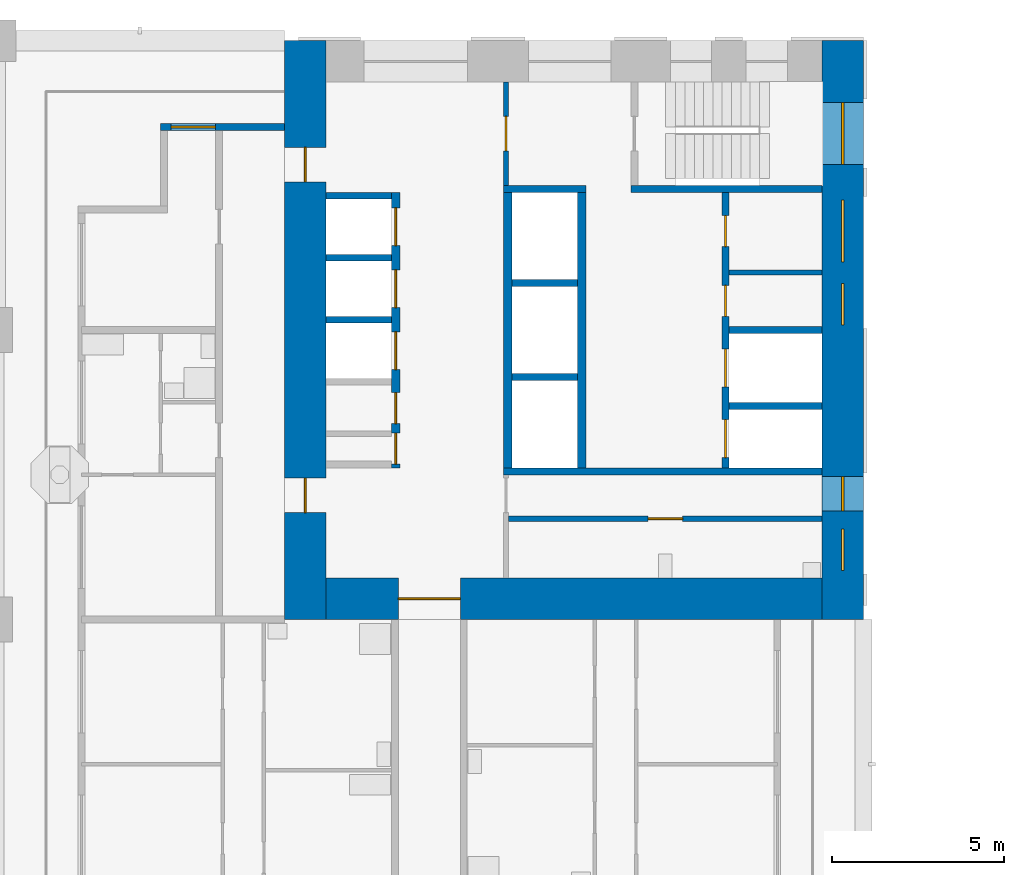
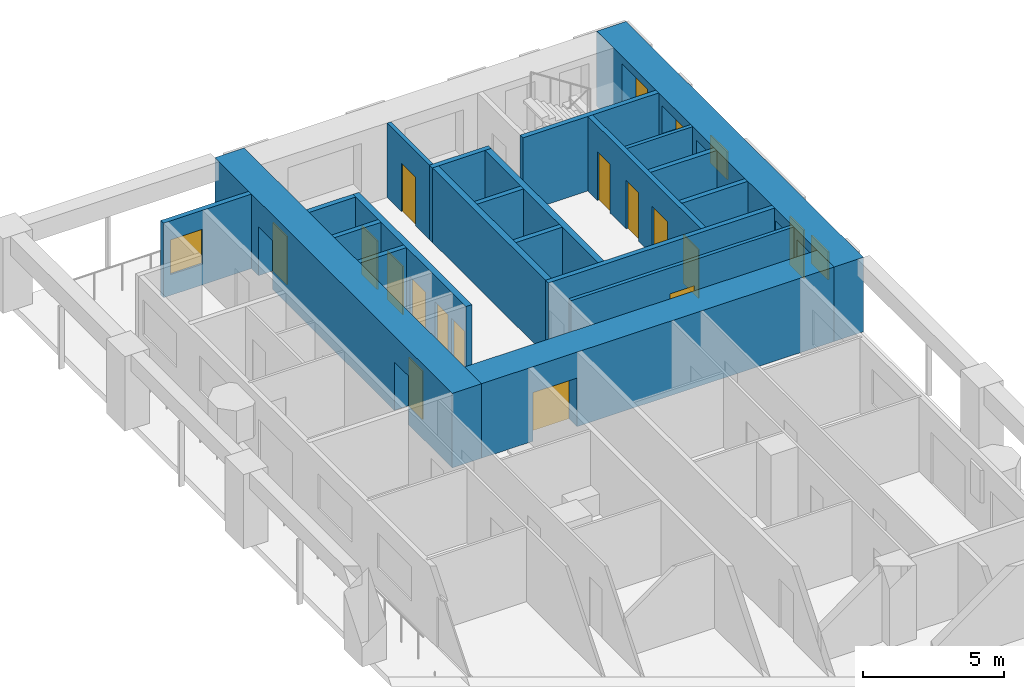
# One storey, part 7 of 18: 21 walls, 14 doors, 6 windows, 20 openings.
"""IFC4 building model written with IfcOpenShell, lengths in metres."""

from ifc_helpers import new_model, si_unit, direction, frame, frame_2d, origin, place, context, subcontext, project, spatial, rectangle, extrude, material, layer, layer_set, type_object, element, fill, save


model = new_model("IFC4")

# Units and contexts
model_context = context("Model", 3, precision=1e-05, world=origin(), true_north=direction((0.0, 1.0)))
body_context = subcontext(model_context, "Body", "Model", "MODEL_VIEW")
ifc_project = project(units=[si_unit("LENGTHUNIT", "METRE"), si_unit("AREAUNIT", "SQUARE_METRE"), si_unit("VOLUMEUNIT", "CUBIC_METRE"), si_unit("PLANEANGLEUNIT", "RADIAN"), si_unit("MASSUNIT", "GRAM", prefix="KILO")], contexts=[model_context])

# Site, building, storey
site_placement = place(None, origin())
site = spatial("IfcSite", under=ifc_project, at=site_placement, CompositionType="ELEMENT")
building_placement = place(site_placement, origin())
building = spatial("IfcBuilding", under=site, at=building_placement, Name="Vermilion Gate Residences", CompositionType="ELEMENT")
storey_placement = place(building_placement, frame((0.0, 0.0, 109.199951171875)))
storey = spatial("IfcBuildingStorey", under=building, at=storey_placement, Name="L27", CompositionType="ELEMENT", Elevation=109.199951171875)

# Wall
ifc_material_1 = material(Name="Masonry blockwork", Category="masonry")
ifc_layer_1 = layer(ifc_material_1, 0.14990234375)
ifc_layer_set_1 = layer_set([ifc_layer_1], Name="BLOCKWORK PARTITION 150 EI 120")
wall_type_1 = type_object("IfcWallType", Name="BLOCKWORK PARTITION 150 EI 120", PredefinedType="PARTITIONING", material=ifc_layer_set_1)
wall_1_placement = place(storey_placement, frame((21.300048828125, 52.074951171875, 0.0), z_axis=(0.0, 0.0, 1.0), x_axis=(1.0, 0.0, 0.0)))
element("IfcWall", 1, at=wall_1_placement, inside=storey, type_object=wall_type_1, Name="Core room partition B27-NR-P0", PredefinedType="PARTITIONING", context=body_context, shape_type="SweptSolid", body=[
    extrude(rectangle(XDim=2.699951171875, YDim=0.14990234375, at=frame_2d((1.35009765625, 0.0))), origin(), (0.0, 0.0, 1.0), 3.219970703125),
])

# Wall, opening, door
wall_2_placement = place(storey_placement, frame((14.824951171875, 57.60009765625, 0.0), z_axis=(0.0, 0.0, 1.0), x_axis=(0.0, -1.0, 0.0)))
wall_2 = element("IfcWall", 2, at=wall_2_placement, inside=storey, type_object=wall_type_1, Name="Core room partition B27-VW-S", PredefinedType="PARTITIONING", context=body_context, shape_type="SweptSolid", body=[
    extrude(rectangle(XDim=3.0, YDim=0.14990234375, at=frame_2d((1.5, 0.0))), origin(), (0.0, 0.0, 1.0), 3.219970703125),
])
opening_1_placement = place(wall_2_placement, frame((1.0, 0.0, 0.0)))
opening_1 = element("IfcOpeningElement", 3, at=opening_1_placement, cuts=wall_2, Name="Opening DK27113", PredefinedType="OPENING", context=body_context, shape_type="SweptSolid", body=[
    extrude(rectangle(XDim=1.0, YDim=2.10009765625, at=frame_2d((0.5, 1.050048828125))), frame((0.0, 0.0849609375, 0.0), z_axis=(0.0, -1.0, 0.0), x_axis=(1.0, 0.0, 0.0)), (0.0, 0.0, 1.0), 0.169921875),
])
ifc_material_2 = material(Name="Steel", Category="steel")
door_type_1 = type_object("IfcDoorType", Name="FIRE DOOR FD60 1000 X 2100", OperationType="SINGLE_SWING_LEFT", PredefinedType="DOOR", material=ifc_material_2)
door_1_placement = place(opening_1_placement, frame((1.0, 0.0, 0.0), z_axis=(0.0, 0.0, 1.0), x_axis=(-1.0, 0.0, 0.0)))
door_1 = element("IfcDoor", 4, at=door_1_placement, inside=storey, type_object=door_type_1, Name="Stair vestibule door B27", OperationType="SINGLE_SWING_RIGHT", OverallHeight=2.10009765625, OverallWidth=1.0, PredefinedType="DOOR", context=body_context, shape_type="SweptSolid", body=[
    extrude(rectangle(XDim=1.0, YDim=2.10009765625, at=frame_2d((0.5, 1.050048828125))), frame((0.0, 0.02490234375, 0.0), z_axis=(0.0, -1.0, 0.0), x_axis=(1.0, 0.0, 0.0)), (0.0, 0.0, 1.0), 0.050048828125),
])
fill(opening_1, door_1)

wall_3_placement = place(storey_placement, frame((14.89990234375, 44.925048828125, 0.0), z_axis=(0.0, 0.0, 1.0), x_axis=(1.0, 0.0, 0.0)))
wall_3 = element("IfcWall", 5, at=wall_3_placement, inside=storey, type_object=wall_type_1, Name="Core room partition B27-ES-W", PredefinedType="PARTITIONING", context=body_context, shape_type="SweptSolid", body=[
    extrude(rectangle(XDim=9.10009765625, YDim=0.14990234375, at=frame_2d((4.550048828125, 0.0))), origin(), (0.0, 0.0, 1.0), 3.219970703125),
])
opening_2_placement = place(wall_3_placement, frame((4.050048828125, 0.0, 0.0)))
opening_2 = element("IfcOpeningElement", 6, at=opening_2_placement, cuts=wall_3, Name="Opening DK27116", PredefinedType="OPENING", context=body_context, shape_type="SweptSolid", body=[
    extrude(rectangle(XDim=1.0, YDim=2.10009765625, at=frame_2d((0.5, 1.050048828125))), frame((0.0, 0.0849609375, 0.0), z_axis=(0.0, -1.0, 0.0), x_axis=(1.0, 0.0, 0.0)), (0.0, 0.0, 1.0), 0.169921875),
])
door_2_placement = place(opening_2_placement, frame((1.0, 0.0, 0.0), z_axis=(0.0, 0.0, 1.0), x_axis=(-1.0, 0.0, 0.0)))
door_2 = element("IfcDoor", 7, at=door_2_placement, inside=storey, type_object=door_type_1, Name="Accessible WC B27", OperationType="SINGLE_SWING_RIGHT", OverallHeight=2.10009765625, OverallWidth=1.0, PredefinedType="DOOR", context=body_context, shape_type="SweptSolid", body=[
    extrude(rectangle(XDim=1.0, YDim=2.10009765625, at=frame_2d((0.5, 1.050048828125))), frame((0.0, 0.02490234375, 0.0), z_axis=(0.0, -1.0, 0.0), x_axis=(1.0, 0.0, 0.0)), (0.0, 0.0, 1.0), 0.050048828125),
])
fill(opening_2, door_2)

# Wall, opening, window
ifc_material_3 = material(Name="Insulated steel stud wall with terracotta rainscreen", Category="masonry")
ifc_layer_2 = layer(ifc_material_3, 0.199951171875)
ifc_layer_set_2 = layer_set([ifc_layer_2], Name="EXTERNAL WALL 200 TERRACOTTA RAINSCREEN")
wall_type_2 = type_object("IfcWallType", Name="EXTERNAL WALL 200 TERRACOTTA RAINSCREEN", PredefinedType="SOLIDWALL", material=ifc_layer_set_2)
wall_4_placement = place(storey_placement, frame((8.39990234375, 56.300048828125, 0.0), z_axis=(0.0, 0.0, 1.0), x_axis=(-1.0, 0.0, 0.0)))
wall_4 = element("IfcWall", 8, at=wall_4_placement, inside=storey, type_object=wall_type_2, Name="External wall", PredefinedType="SOLIDWALL", context=body_context, shape_type="SweptSolid", body=[
    extrude(rectangle(XDim=3.599853515625, YDim=0.199951171875, at=frame_2d((1.7998046875, 0.0))), origin(), (0.0, 0.0, 1.0), 3.219970703125),
])
opening_3_placement = place(wall_4_placement, frame((2.0, 0.0, 0.89990234375)))
opening_3 = element("IfcOpeningElement", 9, at=opening_3_placement, cuts=wall_4, Name="Opening WE27001", PredefinedType="OPENING", context=body_context, shape_type="SweptSolid", body=[
    extrude(rectangle(XDim=1.300048828125, YDim=1.5, at=frame_2d((0.64990234375, 0.75))), frame((0.0, 0.10986328125, 0.0), z_axis=(0.0, -1.0, 0.0), x_axis=(1.0, 0.0, 0.0)), (0.0, 0.0, 1.0), 0.219970703125),
])
ifc_material_4 = material(Name="Aluminium and clear glass", Category="aluminium")
window_type_1 = type_object("IfcWindowType", Name="WINDOW 1300 X 1500", PartitioningType="SINGLE_PANEL", PredefinedType="WINDOW", material=ifc_material_4)
window_1_placement = place(opening_3_placement, origin())
window_1 = element("IfcWindow", 10, at=window_1_placement, inside=storey, type_object=window_type_1, Name="Window", OverallHeight=1.5, OverallWidth=1.300048828125, PartitioningType="SINGLE_PANEL", PredefinedType="WINDOW", context=body_context, shape_type="SweptSolid", body=[
    extrude(rectangle(XDim=1.300048828125, YDim=1.5, at=frame_2d((0.64990234375, 0.75))), frame((0.0, 0.030029296875, 0.0), z_axis=(0.0, -1.0, 0.0), x_axis=(1.0, 0.0, 0.0)), (0.0, 0.0, 1.0), 0.06005859375),
])
fill(opening_3, window_1)

# Walls
ifc_material_5 = material(Name="Concrete C60", Category="concrete")
ifc_layer_3 = layer(ifc_material_5, 0.199951171875)
ifc_layer_set_3 = layer_set([ifc_layer_3], Name="RC CORE INTERNAL WALL 200 C60")
wall_type_3 = type_object("IfcWallType", Name="RC CORE INTERNAL WALL 200 C60", PredefinedType="SHEAR", material=ifc_layer_set_3)
for number, where, z_axis, x_axis, name in (
    (11, (9.60009765625, 54.300048828125, 0.0), (0.0, 0.0, 1.0), (1.0, 0.0, 0.0), "Core internal wall B27-LR-D0"),
    (12, (9.60009765625, 52.5, 0.0), (0.0, 0.0, 1.0), (1.0, 0.0, 0.0), "Core internal wall B27-LR-D1"),
    (13, (9.60009765625, 50.699951171875, 0.0), (0.0, 0.0, 1.0), (1.0, 0.0, 0.0), "Core internal wall B27-LR-D2"),
    (14, (15.0, 51.7666015625, 0.0), (0.0, 0.0, 1.0), (1.0, 0.0, 0.0), "Core internal wall B27-HR-D1"),
    (15, (15.0, 49.033447265625, 0.0), (0.0, 0.0, 1.0), (1.0, 0.0, 0.0), "Core internal wall B27-HR-D2"),
):
    element("IfcWall", number, at=place(storey_placement, frame(where, z_axis=z_axis, x_axis=x_axis)), inside=storey, type_object=wall_type_3, Name=name, PredefinedType="SHEAR", context=body_context, shape_type="SweptSolid", body=[
        extrude(rectangle(XDim=1.89990234375, YDim=0.199951171875, at=frame_2d((0.949951171875, 0.0))), origin(), (0.0, 0.0, 1.0), 3.219970703125),
    ])
for number, where, z_axis, x_axis, name in (
    (16, (21.300048828125, 50.39990234375, 0.0), (0.0, 0.0, 1.0), (1.0, 0.0, 0.0), "Core internal wall B27-FF-D0"),
    (17, (21.300048828125, 48.199951171875, 0.0), (0.0, 0.0, 1.0), (1.0, 0.0, 0.0), "Core internal wall B27-FF-D1"),
):
    element("IfcWall", number, at=place(storey_placement, frame(where, z_axis=z_axis, x_axis=x_axis)), inside=storey, type_object=wall_type_3, Name=name, PredefinedType="SHEAR", context=body_context, shape_type="SweptSolid", body=[
        extrude(rectangle(XDim=2.699951171875, YDim=0.199951171875, at=frame_2d((1.35009765625, 0.0))), origin(), (0.0, 0.0, 1.0), 3.219970703125),
    ])

# Wall, openings, doors
wall_5_placement = place(storey_placement, frame((21.199951171875, 54.39990234375, 0.0), z_axis=(0.0, 0.0, 1.0), x_axis=(0.0, -1.0, 0.0)))
wall_5 = element("IfcWall", 18, at=wall_5_placement, inside=storey, type_object=wall_type_3, Name="Core internal wall B27-FF-F", PredefinedType="SHEAR", context=body_context, shape_type="SweptSolid", body=[
    extrude(rectangle(XDim=8.0, YDim=0.199951171875, at=frame_2d((4.0, 0.0))), origin(), (0.0, 0.0, 1.0), 3.219970703125),
])
opening_4_placement = place(wall_5_placement, frame((0.675048828125, 0.0, 0.0)))
opening_4 = element("IfcOpeningElement", 19, at=opening_4_placement, cuts=wall_5, Name="Opening DK27109", PredefinedType="OPENING", context=body_context, shape_type="SweptSolid", body=[
    extrude(rectangle(XDim=0.89990234375, YDim=2.10009765625, at=frame_2d((0.449951171875, 1.050048828125))), frame((0.0, 0.10986328125, 0.0), z_axis=(0.0, -1.0, 0.0), x_axis=(1.0, 0.0, 0.0)), (0.0, 0.0, 1.0), 0.219970703125),
])
opening_5_placement = place(wall_5_placement, frame((2.699951171875, 0.0, 0.0)))
opening_5 = element("IfcOpeningElement", 20, at=opening_5_placement, cuts=wall_5, Name="Opening DK27110", PredefinedType="OPENING", context=body_context, shape_type="SweptSolid", body=[
    extrude(rectangle(XDim=0.89990234375, YDim=2.10009765625, at=frame_2d((0.449951171875, 1.050048828125))), frame((0.0, 0.10986328125, 0.0), z_axis=(0.0, -1.0, 0.0), x_axis=(1.0, 0.0, 0.0)), (0.0, 0.0, 1.0), 0.219970703125),
])
opening_6_placement = place(wall_5_placement, frame((4.550048828125, 0.0, 0.0)))
opening_6 = element("IfcOpeningElement", 21, at=opening_6_placement, cuts=wall_5, Name="Opening LD", PredefinedType="OPENING", context=body_context, shape_type="SweptSolid", body=[
    extrude(rectangle(XDim=1.10009765625, YDim=2.10009765625, at=frame_2d((0.550048828125, 1.050048828125))), frame((0.0, 0.10986328125, 0.0), z_axis=(0.0, -1.0, 0.0), x_axis=(1.0, 0.0, 0.0)), (0.0, 0.0, 1.0), 0.219970703125),
])
opening_7_placement = place(wall_5_placement, frame((6.60009765625, 0.0, 0.0)))
opening_7 = element("IfcOpeningElement", 22, at=opening_7_placement, cuts=wall_5, Name="Opening LD", PredefinedType="OPENING", context=body_context, shape_type="SweptSolid", body=[
    extrude(rectangle(XDim=1.10009765625, YDim=2.10009765625, at=frame_2d((0.550048828125, 1.050048828125))), frame((0.0, 0.10986328125, 0.0), z_axis=(0.0, -1.0, 0.0), x_axis=(1.0, 0.0, 0.0)), (0.0, 0.0, 1.0), 0.219970703125),
])
ifc_material_6 = material(Name="Stainless steel", Category="steel")
door_type_2 = type_object("IfcDoorType", Name="LIFT LANDING DOOR E60 1100 X 2100", OperationType="DOUBLE_DOOR_SLIDING", PredefinedType="DOOR", material=ifc_material_6)
door_3_placement = place(opening_6_placement, origin())
door_3 = element("IfcDoor", 23, at=door_3_placement, inside=storey, type_object=door_type_2, Name="Lift landing door LFB1", OperationType="DOUBLE_DOOR_SLIDING", OverallHeight=2.10009765625, OverallWidth=1.10009765625, PredefinedType="DOOR", context=body_context, shape_type="SweptSolid", body=[
    extrude(rectangle(XDim=1.10009765625, YDim=2.10009765625, at=frame_2d((0.550048828125, 1.050048828125))), frame((0.0, 0.02490234375, 0.0), z_axis=(0.0, -1.0, 0.0), x_axis=(1.0, 0.0, 0.0)), (0.0, 0.0, 1.0), 0.050048828125),
])
fill(opening_6, door_3)
door_4_placement = place(opening_7_placement, origin())
door_4 = element("IfcDoor", 24, at=door_4_placement, inside=storey, type_object=door_type_2, Name="Lift landing door LCB1", OperationType="DOUBLE_DOOR_SLIDING", OverallHeight=2.10009765625, OverallWidth=1.10009765625, PredefinedType="DOOR", context=body_context, shape_type="SweptSolid", body=[
    extrude(rectangle(XDim=1.10009765625, YDim=2.10009765625, at=frame_2d((0.550048828125, 1.050048828125))), frame((0.0, 0.02490234375, 0.0), z_axis=(0.0, -1.0, 0.0), x_axis=(1.0, 0.0, 0.0)), (0.0, 0.0, 1.0), 0.050048828125),
])
fill(opening_7, door_4)
ifc_material_7 = material(Name="Steel", Category="steel")
door_type_3 = type_object("IfcDoorType", Name="SERVICE ROOM DOOR FD60 900 X 2100", OperationType="SINGLE_SWING_LEFT", PredefinedType="DOOR", material=ifc_material_7)
door_5_placement = place(opening_4_placement, origin())
door_5 = element("IfcDoor", 25, at=door_5_placement, inside=storey, type_object=door_type_3, Name="Housekeeping store B27", OperationType="SINGLE_SWING_RIGHT", OverallHeight=2.10009765625, OverallWidth=0.89990234375, PredefinedType="DOOR", context=body_context, shape_type="SweptSolid", body=[
    extrude(rectangle(XDim=0.89990234375, YDim=2.10009765625, at=frame_2d((0.449951171875, 1.050048828125))), frame((0.0, 0.02490234375, 0.0), z_axis=(0.0, -1.0, 0.0), x_axis=(1.0, 0.0, 0.0)), (0.0, 0.0, 1.0), 0.050048828125),
])
fill(opening_4, door_5)
door_6_placement = place(opening_5_placement, origin())
door_6 = element("IfcDoor", 26, at=door_6_placement, inside=storey, type_object=door_type_3, Name="Mail room B27", OperationType="SINGLE_SWING_RIGHT", OverallHeight=2.10009765625, OverallWidth=0.89990234375, PredefinedType="DOOR", context=body_context, shape_type="SweptSolid", body=[
    extrude(rectangle(XDim=0.89990234375, YDim=2.10009765625, at=frame_2d((0.449951171875, 1.050048828125))), frame((0.0, 0.02490234375, 0.0), z_axis=(0.0, -1.0, 0.0), x_axis=(1.0, 0.0, 0.0)), (0.0, 0.0, 1.0), 0.050048828125),
])
fill(opening_5, door_6)

# Walls
wall_6_placement = place(storey_placement, frame((14.75, 54.5, 0.0), z_axis=(0.0, 0.0, 1.0), x_axis=(1.0, 0.0, 0.0)))
element("IfcWall", 27, at=wall_6_placement, inside=storey, type_object=wall_type_3, Name="Core internal wall B27-WDIV1", PredefinedType="SHEAR", context=body_context, shape_type="SweptSolid", body=[
    extrude(rectangle(XDim=2.39990234375, YDim=0.199951171875, at=frame_2d((1.199951171875, 0.0))), origin(), (0.0, 0.0, 1.0), 3.219970703125),
])
wall_7_placement = place(storey_placement, frame((18.449951171875, 54.5, 0.0), z_axis=(0.0, 0.0, 1.0), x_axis=(1.0, 0.0, 0.0)))
element("IfcWall", 28, at=wall_7_placement, inside=storey, type_object=wall_type_3, Name="Core internal wall B27-WDIV2", PredefinedType="SHEAR", context=body_context, shape_type="SweptSolid", body=[
    extrude(rectangle(XDim=5.550048828125, YDim=0.199951171875, at=frame_2d((2.77490234375, 0.0))), origin(), (0.0, 0.0, 1.0), 3.219970703125),
])
wall_8_placement = place(storey_placement, frame((14.75, 46.300048828125, 0.0), z_axis=(0.0, 0.0, 1.0), x_axis=(1.0, 0.0, 0.0)))
element("IfcWall", 29, at=wall_8_placement, inside=storey, type_object=wall_type_3, Name="Core internal wall B27-EDIV", PredefinedType="SHEAR", context=body_context, shape_type="SweptSolid", body=[
    extrude(rectangle(XDim=9.25, YDim=0.199951171875, at=frame_2d((4.625, 0.0))), origin(), (0.0, 0.0, 1.0), 3.219970703125),
])

# Wall, openings, doors
ifc_material_8 = material(Name="Concrete C70", Category="concrete")
ifc_layer_4 = layer(ifc_material_8, 1.199951171875)
ifc_layer_set_4 = layer_set([ifc_layer_4], Name="RC CORE WALL 1200 C70")
wall_type_4 = type_object("IfcWallType", Name="RC CORE WALL 1200 C70", PredefinedType="SHEAR", material=ifc_layer_set_4)
wall_9_placement = place(storey_placement, frame((9.0, 58.800048828125, 0.0), z_axis=(0.0, 0.0, 1.0), x_axis=(0.0, -1.0, 0.0)))
wall_9 = element("IfcWall", 30, at=wall_9_placement, inside=storey, type_object=wall_type_4, Name="Core wall B27-OUT-B0", PredefinedType="SHEAR", context=body_context, shape_type="SweptSolid", body=[
    extrude(rectangle(XDim=16.800048828125, YDim=1.199951171875, at=frame_2d((8.39990234375, 0.0))), origin(), (0.0, 0.0, 1.0), 3.219970703125),
])
opening_8_placement = place(wall_9_placement, frame((3.10009765625, 0.0, 0.0)))
opening_8 = element("IfcOpeningElement", 31, at=opening_8_placement, cuts=wall_9, Name="Opening DK27101", PredefinedType="OPENING", context=body_context, shape_type="SweptSolid", body=[
    extrude(rectangle(XDim=1.0, YDim=2.10009765625, at=frame_2d((0.5, 1.050048828125))), frame((0.0, 0.60986328125, 0.0), z_axis=(0.0, -1.0, 0.0), x_axis=(1.0, 0.0, 0.0)), (0.0, 0.0, 1.0), 1.219970703125),
])
opening_9_placement = place(wall_9_placement, frame((12.699951171875, 0.0, 0.0)))
opening_9 = element("IfcOpeningElement", 32, at=opening_9_placement, cuts=wall_9, Name="Opening DK27102", PredefinedType="OPENING", context=body_context, shape_type="SweptSolid", body=[
    extrude(rectangle(XDim=1.0, YDim=2.10009765625, at=frame_2d((0.5, 1.050048828125))), frame((0.0, 0.60986328125, 0.0), z_axis=(0.0, -1.0, 0.0), x_axis=(1.0, 0.0, 0.0)), (0.0, 0.0, 1.0), 1.219970703125),
])
door_7_placement = place(opening_8_placement, origin())
door_7 = element("IfcDoor", 33, at=door_7_placement, inside=storey, type_object=door_type_1, Name="Core lobby side door B27", OperationType="SINGLE_SWING_RIGHT", OverallHeight=2.10009765625, OverallWidth=1.0, PredefinedType="DOOR", context=body_context, shape_type="SweptSolid", body=[
    extrude(rectangle(XDim=1.0, YDim=2.10009765625, at=frame_2d((0.5, 1.050048828125))), frame((0.0, 0.02490234375, 0.0), z_axis=(0.0, -1.0, 0.0), x_axis=(1.0, 0.0, 0.0)), (0.0, 0.0, 1.0), 0.050048828125),
])
fill(opening_8, door_7)
door_8_placement = place(opening_9_placement, origin())
door_8 = element("IfcDoor", 34, at=door_8_placement, inside=storey, type_object=door_type_1, Name="Core lobby side door B27", OperationType="SINGLE_SWING_LEFT", OverallHeight=2.10009765625, OverallWidth=1.0, PredefinedType="DOOR", context=body_context, shape_type="SweptSolid", body=[
    extrude(rectangle(XDim=1.0, YDim=2.10009765625, at=frame_2d((0.5, 1.050048828125))), frame((0.0, 0.02490234375, 0.0), z_axis=(0.0, -1.0, 0.0), x_axis=(1.0, 0.0, 0.0)), (0.0, 0.0, 1.0), 0.050048828125),
])
fill(opening_9, door_8)

# Wall, opening, door
wall_10_placement = place(storey_placement, frame((9.60009765625, 42.60009765625, 0.0), z_axis=(0.0, 0.0, 1.0), x_axis=(1.0, 0.0, 0.0)))
wall_10 = element("IfcWall", 35, at=wall_10_placement, inside=storey, type_object=wall_type_4, Name="Core wall B27-OUT-BK", PredefinedType="SHEAR", context=body_context, shape_type="SweptSolid", body=[
    extrude(rectangle(XDim=14.39990234375, YDim=1.199951171875, at=frame_2d((7.199951171875, 0.0))), origin(), (0.0, 0.0, 1.0), 3.219970703125),
])
opening_10_placement = place(wall_10_placement, frame((2.10009765625, 0.0, 0.0)))
opening_10 = element("IfcOpeningElement", 36, at=opening_10_placement, cuts=wall_10, Name="Opening DK27103", PredefinedType="OPENING", context=body_context, shape_type="SweptSolid", body=[
    extrude(rectangle(XDim=1.800048828125, YDim=2.10009765625, at=frame_2d((0.89990234375, 1.050048828125))), frame((0.0, 0.60986328125, 0.0), z_axis=(0.0, -1.0, 0.0), x_axis=(1.0, 0.0, 0.0)), (0.0, 0.0, 1.0), 1.219970703125),
])
ifc_material_9 = material(Name="Steel", Category="steel")
door_type_4 = type_object("IfcDoorType", Name="CORE LOBBY DOOR FD60 1800 X 2100", OperationType="DOUBLE_DOOR_SINGLE_SWING", PredefinedType="DOOR", material=ifc_material_9)
door_9_placement = place(opening_10_placement, origin())
door_9 = element("IfcDoor", 37, at=door_9_placement, inside=storey, type_object=door_type_4, Name="Core lobby door B27", OperationType="DOUBLE_DOOR_SINGLE_SWING", OverallHeight=2.10009765625, OverallWidth=1.800048828125, PredefinedType="DOOR", context=body_context, shape_type="SweptSolid", body=[
    extrude(rectangle(XDim=1.800048828125, YDim=2.10009765625, at=frame_2d((0.89990234375, 1.050048828125))), frame((0.0, 0.02490234375, 0.0), z_axis=(0.0, -1.0, 0.0), x_axis=(1.0, 0.0, 0.0)), (0.0, 0.0, 1.0), 0.050048828125),
])
fill(opening_10, door_9)

# Wall, openings, windows
ifc_material_10 = material(Name="Concrete C70 red-oxide pigmented", Category="concrete")
ifc_layer_5 = layer(ifc_material_10, 1.199951171875)
ifc_layer_set_5 = layer_set([ifc_layer_5], Name="RC CORE WALL 1200 C70 RED OXIDE")
wall_type_5 = type_object("IfcWallType", Name="RC CORE WALL 1200 C70 RED OXIDE", PredefinedType="SHEAR", material=ifc_layer_set_5)
wall_11_placement = place(storey_placement, frame((24.60009765625, 58.800048828125, 0.0), z_axis=(0.0, 0.0, 1.0), x_axis=(0.0, -1.0, 0.0)))
wall_11 = element("IfcWall", 38, at=wall_11_placement, inside=storey, type_object=wall_type_5, Name="Core wall B27-OUT-B1", PredefinedType="SHEAR", context=body_context, shape_type="SweptSolid", body=[
    extrude(rectangle(XDim=16.800048828125, YDim=1.199951171875, at=frame_2d((8.39990234375, 0.0))), origin(), (0.0, 0.0, 1.0), 3.219970703125),
])
opening_11_placement = place(wall_11_placement, frame((1.800048828125, 0.0, 0.5)))
opening_11 = element("IfcOpeningElement", 39, at=opening_11_placement, cuts=wall_11, Name="Opening WKB2701", PredefinedType="OPENING", context=body_context, shape_type="SweptSolid", body=[
    extrude(rectangle(XDim=1.800048828125, YDim=2.39990234375, at=frame_2d((0.89990234375, 1.199951171875))), frame((0.0, 0.60986328125, 0.0), z_axis=(0.0, -1.0, 0.0), x_axis=(1.0, 0.0, 0.0)), (0.0, 0.0, 1.0), 1.219970703125),
])
opening_12_placement = place(wall_11_placement, frame((4.625, 0.0, 1.60009765625)))
opening_12 = element("IfcOpeningElement", 40, at=opening_12_placement, cuts=wall_11, Name="Opening WKB2702", PredefinedType="OPENING", context=body_context, shape_type="SweptSolid", body=[
    extrude(rectangle(XDim=1.800048828125, YDim=1.199951171875, at=frame_2d((0.89990234375, 0.60009765625))), frame((0.0, 0.60986328125, 0.0), z_axis=(0.0, -1.0, 0.0), x_axis=(1.0, 0.0, 0.0)), (0.0, 0.0, 1.0), 1.219970703125),
])
opening_13_placement = place(wall_11_placement, frame((7.050048828125, 0.0, 1.60009765625)))
opening_13 = element("IfcOpeningElement", 41, at=opening_13_placement, cuts=wall_11, Name="Opening WKB2703", PredefinedType="OPENING", context=body_context, shape_type="SweptSolid", body=[
    extrude(rectangle(XDim=1.199951171875, YDim=1.199951171875, at=frame_2d((0.60009765625, 0.60009765625))), frame((0.0, 0.60986328125, 0.0), z_axis=(0.0, -1.0, 0.0), x_axis=(1.0, 0.0, 0.0)), (0.0, 0.0, 1.0), 1.219970703125),
])
opening_14_placement = place(wall_11_placement, frame((12.64990234375, 0.0, 0.60009765625)))
opening_14 = element("IfcOpeningElement", 42, at=opening_14_placement, cuts=wall_11, Name="Opening WKB2704", PredefinedType="OPENING", context=body_context, shape_type="SweptSolid", body=[
    extrude(rectangle(XDim=1.0, YDim=2.10009765625, at=frame_2d((0.5, 1.050048828125))), frame((0.0, 0.60986328125, 0.0), z_axis=(0.0, -1.0, 0.0), x_axis=(1.0, 0.0, 0.0)), (0.0, 0.0, 1.0), 1.219970703125),
])
opening_15_placement = place(wall_11_placement, frame((14.175048828125, 0.0, 1.60009765625)))
opening_15 = element("IfcOpeningElement", 43, at=opening_15_placement, cuts=wall_11, Name="Opening WKB2705", PredefinedType="OPENING", context=body_context, shape_type="SweptSolid", body=[
    extrude(rectangle(XDim=1.199951171875, YDim=1.199951171875, at=frame_2d((0.60009765625, 0.60009765625))), frame((0.0, 0.60986328125, 0.0), z_axis=(0.0, -1.0, 0.0), x_axis=(1.0, 0.0, 0.0)), (0.0, 0.0, 1.0), 1.219970703125),
])
ifc_material_11 = material(Name="Aluminium and clear glass", Category="aluminium")
window_type_2 = type_object("IfcWindowType", Name="CORE CORRIDOR WINDOW 1000 X 2100", PartitioningType="SINGLE_PANEL", PredefinedType="WINDOW", material=ifc_material_11)
window_2_placement = place(opening_14_placement, origin())
window_2 = element("IfcWindow", 44, at=window_2_placement, inside=storey, type_object=window_type_2, Name="Core corridor window", OverallHeight=2.10009765625, OverallWidth=1.0, PartitioningType="SINGLE_PANEL", PredefinedType="WINDOW", context=body_context, shape_type="SweptSolid", body=[
    extrude(rectangle(XDim=1.0, YDim=2.10009765625, at=frame_2d((0.5, 1.050048828125))), frame((0.0, 0.030029296875, 0.0), z_axis=(0.0, -1.0, 0.0), x_axis=(1.0, 0.0, 0.0)), (0.0, 0.0, 1.0), 0.06005859375),
])
fill(opening_14, window_2)
ifc_material_12 = material(Name="Aluminium frame with louvre blades", Category="aluminium")
window_type_3 = type_object("IfcWindowType", Name="CORE LOUVRE 1200 X 1200", PartitioningType="SINGLE_PANEL", PredefinedType="WINDOW", material=ifc_material_12)
window_3_placement = place(opening_13_placement, origin())
window_3 = element("IfcWindow", 45, at=window_3_placement, inside=storey, type_object=window_type_3, Name="Core louvre", OverallHeight=1.199951171875, OverallWidth=1.199951171875, PartitioningType="SINGLE_PANEL", PredefinedType="WINDOW", context=body_context, shape_type="SweptSolid", body=[
    extrude(rectangle(XDim=1.199951171875, YDim=1.199951171875, at=frame_2d((0.60009765625, 0.60009765625))), frame((0.0, 0.030029296875, 0.0), z_axis=(0.0, -1.0, 0.0), x_axis=(1.0, 0.0, 0.0)), (0.0, 0.0, 1.0), 0.06005859375),
])
fill(opening_13, window_3)
window_4_placement = place(opening_15_placement, origin())
window_4 = element("IfcWindow", 46, at=window_4_placement, inside=storey, type_object=window_type_3, Name="Core louvre", OverallHeight=1.199951171875, OverallWidth=1.199951171875, PartitioningType="SINGLE_PANEL", PredefinedType="WINDOW", context=body_context, shape_type="SweptSolid", body=[
    extrude(rectangle(XDim=1.199951171875, YDim=1.199951171875, at=frame_2d((0.60009765625, 0.60009765625))), frame((0.0, 0.030029296875, 0.0), z_axis=(0.0, -1.0, 0.0), x_axis=(1.0, 0.0, 0.0)), (0.0, 0.0, 1.0), 0.06005859375),
])
fill(opening_15, window_4)
ifc_material_13 = material(Name="Aluminium frame with louvre blades", Category="aluminium")
window_type_4 = type_object("IfcWindowType", Name="CORE LOUVRE 1800 X 1200", PartitioningType="SINGLE_PANEL", PredefinedType="WINDOW", material=ifc_material_13)
window_5_placement = place(opening_12_placement, origin())
window_5 = element("IfcWindow", 47, at=window_5_placement, inside=storey, type_object=window_type_4, Name="Core louvre", OverallHeight=1.199951171875, OverallWidth=1.800048828125, PartitioningType="SINGLE_PANEL", PredefinedType="WINDOW", context=body_context, shape_type="SweptSolid", body=[
    extrude(rectangle(XDim=1.800048828125, YDim=1.199951171875, at=frame_2d((0.89990234375, 0.60009765625))), frame((0.0, 0.030029296875, 0.0), z_axis=(0.0, -1.0, 0.0), x_axis=(1.0, 0.0, 0.0)), (0.0, 0.0, 1.0), 0.06005859375),
])
fill(opening_12, window_5)
ifc_material_14 = material(Name="Aluminium and clear glass", Category="aluminium")
window_type_5 = type_object("IfcWindowType", Name="CORE STAIR WINDOW 1800 X 2400", PartitioningType="SINGLE_PANEL", PredefinedType="WINDOW", material=ifc_material_14)
window_6_placement = place(opening_11_placement, origin())
window_6 = element("IfcWindow", 48, at=window_6_placement, inside=storey, type_object=window_type_5, Name="Core stair window", OverallHeight=2.39990234375, OverallWidth=1.800048828125, PartitioningType="SINGLE_PANEL", PredefinedType="WINDOW", context=body_context, shape_type="SweptSolid", body=[
    extrude(rectangle(XDim=1.800048828125, YDim=2.39990234375, at=frame_2d((0.89990234375, 1.199951171875))), frame((0.0, 0.030029296875, 0.0), z_axis=(0.0, -1.0, 0.0), x_axis=(1.0, 0.0, 0.0)), (0.0, 0.0, 1.0), 0.06005859375),
])
fill(opening_11, window_6)

# Wall, openings, doors
ifc_material_15 = material(Name="Concrete C60", Category="concrete")
ifc_layer_6 = layer(ifc_material_15, 0.25)
ifc_layer_set_6 = layer_set([ifc_layer_6], Name="RC LIFT SHAFT WALL 250 C60")
wall_type_6 = type_object("IfcWallType", Name="RC LIFT SHAFT WALL 250 C60", PredefinedType="SHEAR", material=ifc_layer_set_6)
wall_12_placement = place(storey_placement, frame((11.625, 54.39990234375, 0.0), z_axis=(0.0, 0.0, 1.0), x_axis=(0.0, -1.0, 0.0)))
wall_12 = element("IfcWall", 49, at=wall_12_placement, inside=storey, type_object=wall_type_6, Name="Lift shaft wall B27-LR-F", PredefinedType="SHEAR", context=body_context, shape_type="SweptSolid", body=[
    extrude(rectangle(XDim=8.0, YDim=0.25, at=frame_2d((4.0, 0.0))), origin(), (0.0, 0.0, 1.0), 3.219970703125),
])
opening_16_placement = place(wall_12_placement, frame((0.449951171875, 0.0, 0.0)))
opening_16 = element("IfcOpeningElement", 50, at=opening_16_placement, cuts=wall_12, Name="Opening LD", PredefinedType="OPENING", context=body_context, shape_type="SweptSolid", body=[
    extrude(rectangle(XDim=1.10009765625, YDim=2.10009765625, at=frame_2d((0.550048828125, 1.050048828125))), frame((0.0, 0.135009765625, 0.0), z_axis=(0.0, -1.0, 0.0), x_axis=(1.0, 0.0, 0.0)), (0.0, 0.0, 1.0), 0.27001953125),
])
opening_17_placement = place(wall_12_placement, frame((2.25, 0.0, 0.0)))
opening_17 = element("IfcOpeningElement", 51, at=opening_17_placement, cuts=wall_12, Name="Opening LD", PredefinedType="OPENING", context=body_context, shape_type="SweptSolid", body=[
    extrude(rectangle(XDim=1.10009765625, YDim=2.10009765625, at=frame_2d((0.550048828125, 1.050048828125))), frame((0.0, 0.135009765625, 0.0), z_axis=(0.0, -1.0, 0.0), x_axis=(1.0, 0.0, 0.0)), (0.0, 0.0, 1.0), 0.27001953125),
])
opening_18_placement = place(wall_12_placement, frame((4.050048828125, 0.0, 0.0)))
opening_18 = element("IfcOpeningElement", 52, at=opening_18_placement, cuts=wall_12, Name="Opening LD", PredefinedType="OPENING", context=body_context, shape_type="SweptSolid", body=[
    extrude(rectangle(XDim=1.10009765625, YDim=2.10009765625, at=frame_2d((0.550048828125, 1.050048828125))), frame((0.0, 0.135009765625, 0.0), z_axis=(0.0, -1.0, 0.0), x_axis=(1.0, 0.0, 0.0)), (0.0, 0.0, 1.0), 0.27001953125),
])
opening_19_placement = place(wall_12_placement, frame((5.816162109375, 0.0, 0.0)))
opening_19 = element("IfcOpeningElement", 53, at=opening_19_placement, cuts=wall_12, Name="Opening DK27107", PredefinedType="OPENING", context=body_context, shape_type="SweptSolid", body=[
    extrude(rectangle(XDim=0.89990234375, YDim=2.10009765625, at=frame_2d((0.449951171875, 1.050048828125))), frame((0.0, 0.135009765625, 0.0), z_axis=(0.0, -1.0, 0.0), x_axis=(1.0, 0.0, 0.0)), (0.0, 0.0, 1.0), 0.27001953125),
])
opening_20_placement = place(wall_12_placement, frame((6.9912109375, 0.0, 0.0)))
opening_20 = element("IfcOpeningElement", 54, at=opening_20_placement, cuts=wall_12, Name="Opening DK27108", PredefinedType="OPENING", context=body_context, shape_type="SweptSolid", body=[
    extrude(rectangle(XDim=0.89990234375, YDim=2.10009765625, at=frame_2d((0.449951171875, 1.050048828125))), frame((0.0, 0.135009765625, 0.0), z_axis=(0.0, -1.0, 0.0), x_axis=(1.0, 0.0, 0.0)), (0.0, 0.0, 1.0), 0.27001953125),
])
door_10_placement = place(opening_16_placement, origin())
door_10 = element("IfcDoor", 55, at=door_10_placement, inside=storey, type_object=door_type_2, Name="Lift landing door LRB1", OperationType="DOUBLE_DOOR_SLIDING", OverallHeight=2.10009765625, OverallWidth=1.10009765625, PredefinedType="DOOR", context=body_context, shape_type="SweptSolid", body=[
    extrude(rectangle(XDim=1.10009765625, YDim=2.10009765625, at=frame_2d((0.550048828125, 1.050048828125))), frame((0.0, 0.02490234375, 0.0), z_axis=(0.0, -1.0, 0.0), x_axis=(1.0, 0.0, 0.0)), (0.0, 0.0, 1.0), 0.050048828125),
])
fill(opening_16, door_10)
door_11_placement = place(opening_17_placement, origin())
door_11 = element("IfcDoor", 56, at=door_11_placement, inside=storey, type_object=door_type_2, Name="Lift landing door LRB2", OperationType="DOUBLE_DOOR_SLIDING", OverallHeight=2.10009765625, OverallWidth=1.10009765625, PredefinedType="DOOR", context=body_context, shape_type="SweptSolid", body=[
    extrude(rectangle(XDim=1.10009765625, YDim=2.10009765625, at=frame_2d((0.550048828125, 1.050048828125))), frame((0.0, 0.02490234375, 0.0), z_axis=(0.0, -1.0, 0.0), x_axis=(1.0, 0.0, 0.0)), (0.0, 0.0, 1.0), 0.050048828125),
])
fill(opening_17, door_11)
door_12_placement = place(opening_18_placement, origin())
door_12 = element("IfcDoor", 57, at=door_12_placement, inside=storey, type_object=door_type_2, Name="Lift landing door LRB3", OperationType="DOUBLE_DOOR_SLIDING", OverallHeight=2.10009765625, OverallWidth=1.10009765625, PredefinedType="DOOR", context=body_context, shape_type="SweptSolid", body=[
    extrude(rectangle(XDim=1.10009765625, YDim=2.10009765625, at=frame_2d((0.550048828125, 1.050048828125))), frame((0.0, 0.02490234375, 0.0), z_axis=(0.0, -1.0, 0.0), x_axis=(1.0, 0.0, 0.0)), (0.0, 0.0, 1.0), 0.050048828125),
])
fill(opening_18, door_12)
door_13_placement = place(opening_19_placement, frame((0.89990234375, 0.0, 0.0), z_axis=(0.0, 0.0, 1.0), x_axis=(-1.0, 0.0, 0.0)))
door_13 = element("IfcDoor", 58, at=door_13_placement, inside=storey, type_object=door_type_3, Name="Housekeeping store B27", OperationType="SINGLE_SWING_LEFT", OverallHeight=2.10009765625, OverallWidth=0.89990234375, PredefinedType="DOOR", context=body_context, shape_type="SweptSolid", body=[
    extrude(rectangle(XDim=0.89990234375, YDim=2.10009765625, at=frame_2d((0.449951171875, 1.050048828125))), frame((0.0, 0.02490234375, 0.0), z_axis=(0.0, -1.0, 0.0), x_axis=(1.0, 0.0, 0.0)), (0.0, 0.0, 1.0), 0.050048828125),
])
fill(opening_19, door_13)
door_14_placement = place(opening_20_placement, origin())
door_14 = element("IfcDoor", 59, at=door_14_placement, inside=storey, type_object=door_type_3, Name="Fire equipment store B27", OperationType="SINGLE_SWING_LEFT", OverallHeight=2.10009765625, OverallWidth=0.89990234375, PredefinedType="DOOR", context=body_context, shape_type="SweptSolid", body=[
    extrude(rectangle(XDim=0.89990234375, YDim=2.10009765625, at=frame_2d((0.449951171875, 1.050048828125))), frame((0.0, 0.02490234375, 0.0), z_axis=(0.0, -1.0, 0.0), x_axis=(1.0, 0.0, 0.0)), (0.0, 0.0, 1.0), 0.050048828125),
])
fill(opening_20, door_14)

# Walls
for number, where, z_axis, x_axis, name in (
    (60, (14.875, 54.39990234375, 0.0), (0.0, 0.0, 1.0), (0.0, -1.0, 0.0), "Lift shaft wall B27-HR-F"),
    (61, (17.02490234375, 54.39990234375, 0.0), (0.0, 0.0, 1.0), (0.0, -1.0, 0.0), "Lift shaft wall B27-HR-B"),
):
    element("IfcWall", number, at=place(storey_placement, frame(where, z_axis=z_axis, x_axis=x_axis)), inside=storey, type_object=wall_type_6, Name=name, PredefinedType="SHEAR", context=body_context, shape_type="SweptSolid", body=[
        extrude(rectangle(XDim=8.0, YDim=0.25, at=frame_2d((4.0, 0.0))), origin(), (0.0, 0.0, 1.0), 3.219970703125),
    ])

save(model, "model.ifc")
